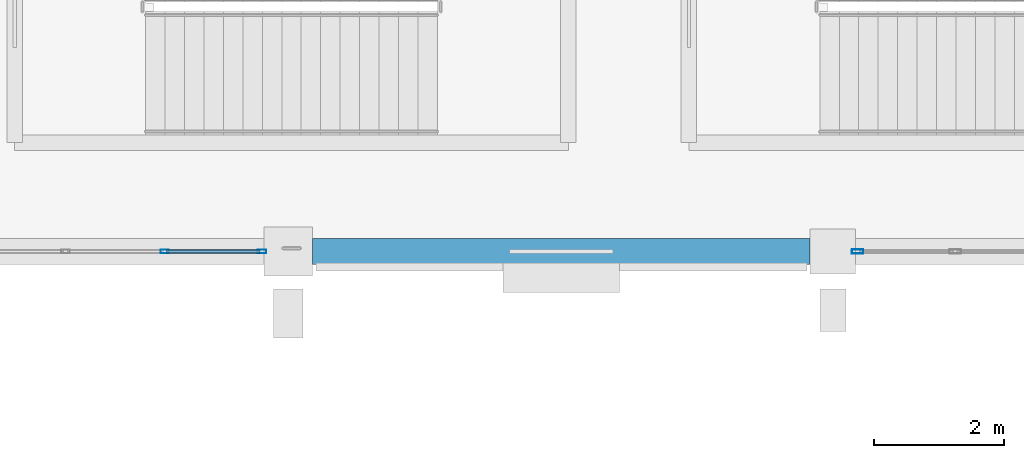
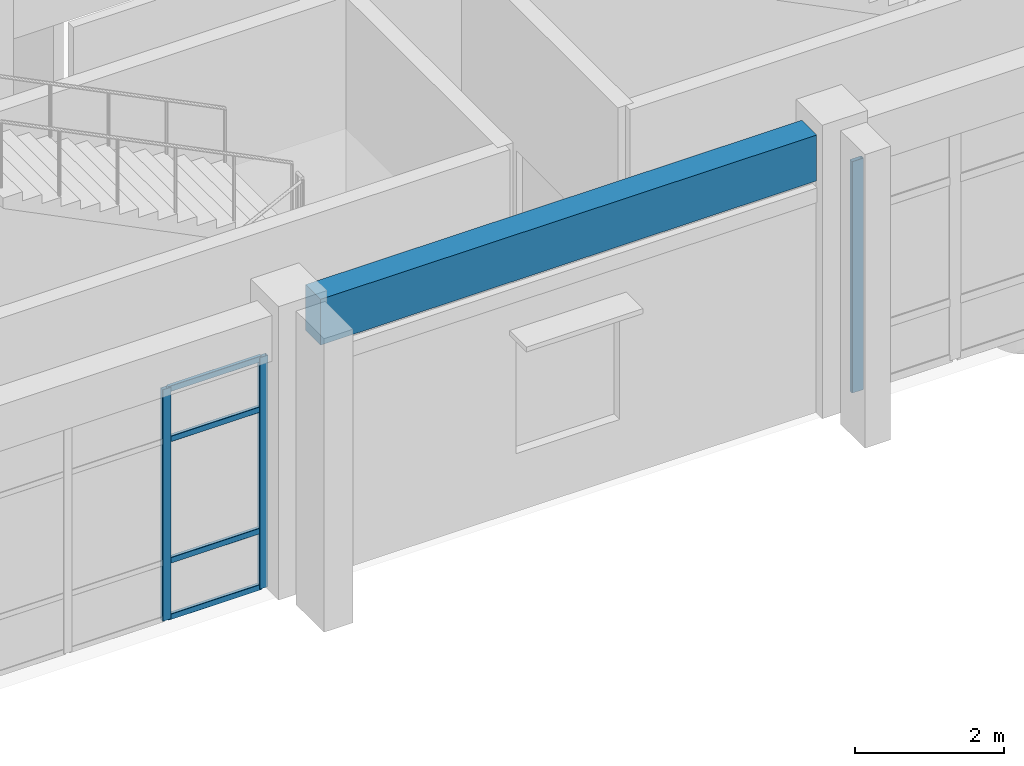
# One storey, part 15 of 111: 7 members, 1 beam, 2 elements without a shape of their own.
"""IFC4 building model written with IfcOpenShell, lengths in metres."""

from ifc_helpers import new_model, si_unit, direction, frame, origin, origin_2d, place, context, subcontext, project, spatial, rectangle, hollow_rectangle, extrude, material, material_profile, profile_set, type_object, element, aggregate, save


model = new_model("IFC4")

# Units and contexts
model_context = context("Model", 3, precision=1e-05, world=origin(), true_north=direction((0.0, 1.0)))
body_context = subcontext(model_context, "Body", "Model", "MODEL_VIEW")
ifc_project = project(units=[si_unit("LENGTHUNIT", "METRE"), si_unit("AREAUNIT", "SQUARE_METRE"), si_unit("VOLUMEUNIT", "CUBIC_METRE"), si_unit("PLANEANGLEUNIT", "RADIAN"), si_unit("MASSUNIT", "GRAM", prefix="KILO")], contexts=[model_context])

# Site, building, storey
site_placement = place(None, origin())
site = spatial("IfcSite", under=ifc_project, at=site_placement, CompositionType="ELEMENT")
building_placement = place(site_placement, origin())
building = spatial("IfcBuilding", under=site, at=building_placement, Name="Canglan Escarpment Cableway Terminal", CompositionType="ELEMENT")
storey_placement = place(building_placement, frame((0.0, 0.0, 4.800048828125)))
storey = spatial("IfcBuildingStorey", under=building, at=storey_placement, Name="L01", CompositionType="ELEMENT", Elevation=4.800048828125)

# Curtain wall, members
ifc_material_1 = material(Name="Anodized bronze aluminium and Low-E double glazing", Category="aluminium")
curtain_wall_type_1 = type_object("IfcCurtainWallType", Name="CW-BAY-7650x3775", PredefinedType="NOTDEFINED", material=ifc_material_1)
curtain_wall_1_placement = place(storey_placement, origin())
curtain_wall_1 = element("IfcCurtainWall", 1, at=curtain_wall_1_placement, inside=storey, type_object=curtain_wall_type_1, Name="Classical bay-between-piers glazed curtain wall CW-03", PredefinedType="NOTDEFINED")
ifc_material_2 = material(Name="Thermally broken anodized aluminium 6063-T6", Category="aluminium")
ifc_material_profile_1 = material_profile(ifc_material_2, hollow_rectangle(XDim=0.06005859375, YDim=0.1298828125, WallThickness=0.0029296875, InnerFilletRadius=0.0029296875, OuterFilletRadius=0.006103515625, at=origin_2d()), Name="ALU-MULL 60x130x3")
ifc_profile_set_1 = profile_set([ifc_material_profile_1], Name="Thermally broken anodized aluminium 6063-T6")
member_type_1 = type_object("IfcMemberType", Name="CWM-01", PredefinedType="MULLION", material=ifc_profile_set_1)
member_1_placement = place(storey_placement, frame((57.39501953125, 8.0, 0.0), z_axis=(0.0, 0.0, 1.0), x_axis=(0.0, 1.0, 0.0)))
member_1 = element("IfcMember", 2, at=member_1_placement, type_object=member_type_1, Name="CW-03 mullion 5", PredefinedType="MULLION", context=body_context, shape_type="SweptSolid", body=[
    extrude(hollow_rectangle(XDim=0.06005859375, YDim=0.1298828125, WallThickness=0.0029296875, InnerFilletRadius=0.0029296875, OuterFilletRadius=0.006103515625, at=origin_2d()), origin(), (0.0, 0.0, 1.0), 3.784912109375),
])
member_2_placement = place(storey_placement, frame((58.89501953125, 8.0, 0.0), z_axis=(0.0, 0.0, 1.0), x_axis=(0.0, 1.0, 0.0)))
member_2 = element("IfcMember", 3, at=member_2_placement, type_object=member_type_1, Name="CW-03 mullion 6", PredefinedType="MULLION", context=body_context, shape_type="SweptSolid", body=[
    extrude(hollow_rectangle(XDim=0.06005859375, YDim=0.1298828125, WallThickness=0.0029296875, InnerFilletRadius=0.0029296875, OuterFilletRadius=0.006103515625, at=origin_2d()), origin(), (0.0, 0.0, 1.0), 3.784912109375),
])

# Curtain wall, member
curtain_wall_type_2 = type_object("IfcCurtainWallType", Name="CW-BAY-7700x3775", PredefinedType="NOTDEFINED", material=ifc_material_1)
curtain_wall_2_placement = place(storey_placement, origin())
curtain_wall_2 = element("IfcCurtainWall", 4, at=curtain_wall_2_placement, inside=storey, type_object=curtain_wall_type_2, Name="Classical bay-between-piers glazed curtain wall CW-04", PredefinedType="NOTDEFINED")
ifc_material_profile_2 = material_profile(ifc_material_2, hollow_rectangle(XDim=0.06494140625, YDim=0.179931640625, WallThickness=0.00390625, InnerFilletRadius=0.00390625, OuterFilletRadius=0.008056640625, at=origin_2d()), Name="ALU-MULL 65x180x4")
ifc_profile_set_2 = profile_set([ifc_material_profile_2], Name="Thermally broken anodized aluminium 6063-T6")
member_type_2 = type_object("IfcMemberType", Name="CWM-03", PredefinedType="MULLION", material=ifc_profile_set_2)
member_3_placement = place(storey_placement, frame((68.08251953125, 8.0, 0.0), z_axis=(0.0, 0.0, 1.0), x_axis=(0.0, 1.0, 0.0)))
member_3 = element("IfcMember", 5, at=member_3_placement, type_object=member_type_2, Name="CW-04 mullion 1", PredefinedType="MULLION", context=body_context, shape_type="SweptSolid", body=[
    extrude(hollow_rectangle(XDim=0.06494140625, YDim=0.179931640625, WallThickness=0.00390625, InnerFilletRadius=0.00390625, OuterFilletRadius=0.008056640625, at=origin_2d()), origin(), (0.0, 0.0, 1.0), 3.784912109375),
])
aggregate(curtain_wall_2, [member_3])

# Member
ifc_material_profile_3 = material_profile(ifc_material_2, hollow_rectangle(XDim=0.054931640625, YDim=0.094970703125, WallThickness=0.0029296875, InnerFilletRadius=0.0029296875, OuterFilletRadius=0.006103515625, at=origin_2d()), Name="ALU-TRAN 55x95x3")
ifc_profile_set_3 = profile_set([ifc_material_profile_3], Name="Thermally broken anodized aluminium 6063-T6")
member_type_3 = type_object("IfcMemberType", Name="CWT-01", PredefinedType="USERDEFINED", material=ifc_profile_set_3)
member_4_placement = place(storey_placement, frame((57.425048828125, 8.0, 0.02734375), z_axis=(1.0, 0.0, 0.0), x_axis=(0.0, 1.0, 0.0)))
member_4 = element("IfcMember", 6, at=member_4_placement, type_object=member_type_3, Name="CW-03 transom 5.1", ObjectType="TRANSOM", PredefinedType="USERDEFINED", context=body_context, shape_type="SweptSolid", body=[
    extrude(hollow_rectangle(XDim=0.054931640625, YDim=0.094970703125, WallThickness=0.0029296875, InnerFilletRadius=0.0029296875, OuterFilletRadius=0.006103515625, at=origin_2d()), origin(), (0.0, 0.0, 1.0), 1.43994140625),
])

member_5_placement = place(storey_placement, frame((57.425048828125, 8.0, 0.949951171875), z_axis=(1.0, 0.0, 0.0), x_axis=(0.0, 1.0, 0.0)))
member_5 = element("IfcMember", 7, at=member_5_placement, type_object=member_type_3, Name="CW-03 transom 5.2", ObjectType="TRANSOM", PredefinedType="USERDEFINED", context=body_context, shape_type="SweptSolid", body=[
    extrude(hollow_rectangle(XDim=0.054931640625, YDim=0.094970703125, WallThickness=0.0029296875, InnerFilletRadius=0.0029296875, OuterFilletRadius=0.006103515625, at=origin_2d()), origin(), (0.0, 0.0, 1.0), 1.43994140625),
])

member_6_placement = place(storey_placement, frame((57.425048828125, 8.0, 2.93505859375), z_axis=(1.0, 0.0, 0.0), x_axis=(0.0, 1.0, 0.0)))
member_6 = element("IfcMember", 8, at=member_6_placement, type_object=member_type_3, Name="CW-03 transom 5.3", ObjectType="TRANSOM", PredefinedType="USERDEFINED", context=body_context, shape_type="SweptSolid", body=[
    extrude(hollow_rectangle(XDim=0.054931640625, YDim=0.094970703125, WallThickness=0.0029296875, InnerFilletRadius=0.0029296875, OuterFilletRadius=0.006103515625, at=origin_2d()), origin(), (0.0, 0.0, 1.0), 1.43994140625),
])

member_7_placement = place(storey_placement, frame((57.425048828125, 8.0, 3.757568359375), z_axis=(1.0, 0.0, 0.0), x_axis=(0.0, 1.0, 0.0)))
member_7 = element("IfcMember", 9, at=member_7_placement, type_object=member_type_3, Name="CW-03 transom 5.4", ObjectType="TRANSOM", PredefinedType="USERDEFINED", context=body_context, shape_type="SweptSolid", body=[
    extrude(hollow_rectangle(XDim=0.054931640625, YDim=0.094970703125, WallThickness=0.0029296875, InnerFilletRadius=0.0029296875, OuterFilletRadius=0.006103515625, at=origin_2d()), origin(), (0.0, 0.0, 1.0), 1.43994140625),
])

aggregate(curtain_wall_1, [member_1, member_2, member_4, member_5, member_6, member_7])

# Beam
ifc_material_3 = material(Name="Concrete C40", Category="concrete")
ifc_material_profile_4 = material_profile(ifc_material_3, rectangle(XDim=0.39990234375, YDim=0.75, at=origin_2d()), Name="RC 400x750")
ifc_profile_set_4 = profile_set([ifc_material_profile_4], Name="Concrete C40")
beam_type = type_object("IfcBeamType", Name="SP-RC400x750", PredefinedType="SPANDREL", material=ifc_profile_set_4)
beam_placement = place(storey_placement, frame((59.675048828125, 8.0, 4.175048828125), z_axis=(1.0, 0.0, 0.0), x_axis=(0.0, 1.0, 0.0)))
element("IfcBeam", 10, at=beam_placement, inside=storey, type_object=beam_type, Name="Primary structural girder SP-01", PredefinedType="SPANDREL", context=body_context, shape_type="SweptSolid", body=[
    extrude(rectangle(XDim=0.39990234375, YDim=0.75, at=origin_2d()), origin(), (0.0, 0.0, 1.0), 7.675048828125),
])

save(model, "model.ifc")
